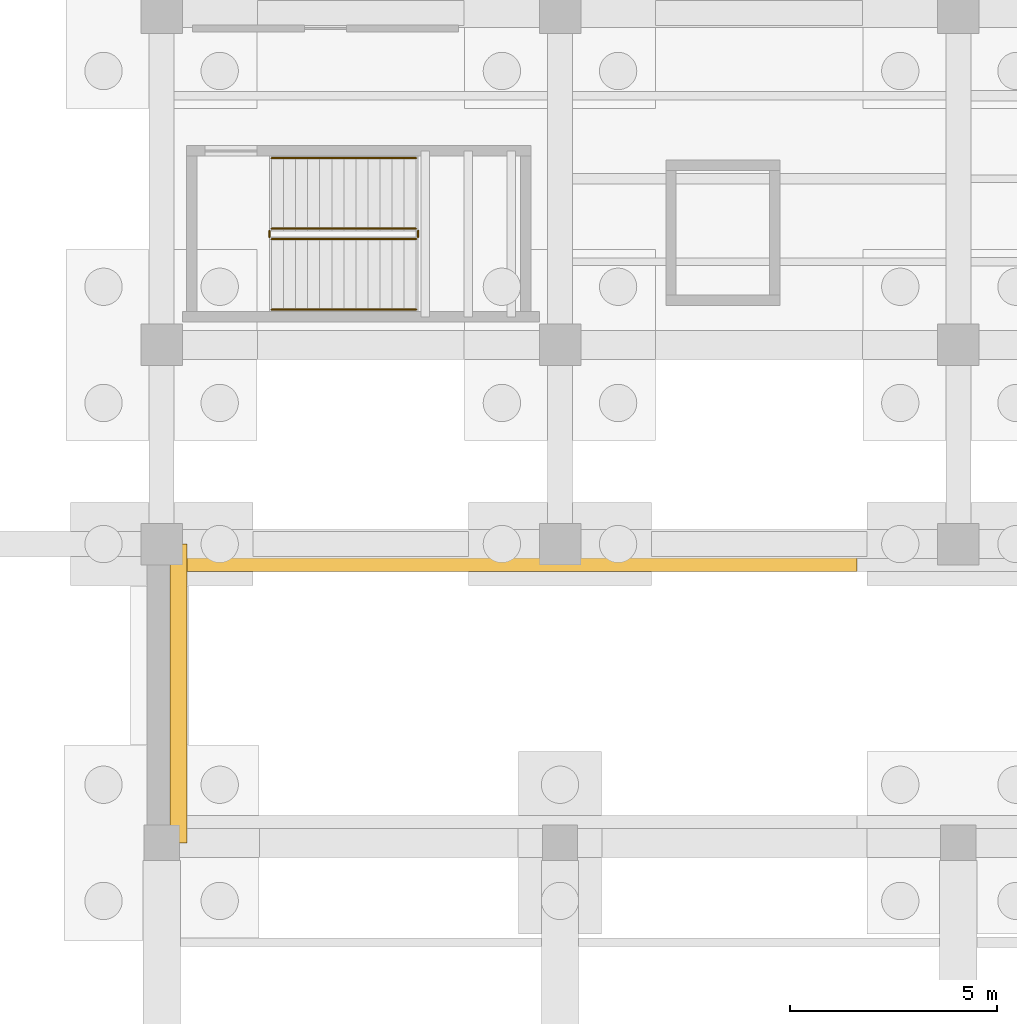
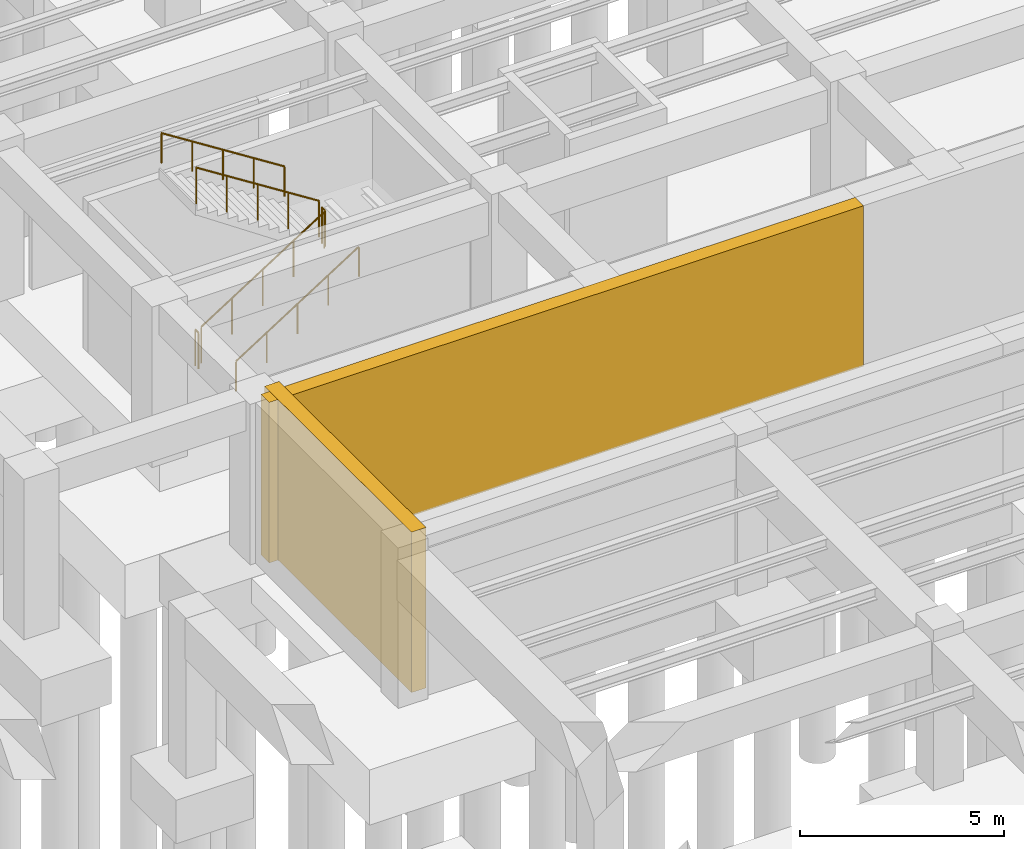
# One storey, part 50 of 56: 6 railings, 2 coverings.
"""IFC4 building model written with IfcOpenShell, lengths in metres."""

from ifc_helpers import new_model, si_unit, direction, frame, origin, origin_2d, place, context, subcontext, project, spatial, polyline, circle, outline, extrude, material, layer, layer_set, type_object, element, save


model = new_model("IFC4")

# Units and contexts
model_context = context("Model", 3, precision=1e-05, world=origin(), true_north=direction((0.0, 1.0)))
body_context = subcontext(model_context, "Body", "Model", "MODEL_VIEW")
ifc_project = project(units=[si_unit("LENGTHUNIT", "METRE"), si_unit("AREAUNIT", "SQUARE_METRE"), si_unit("VOLUMEUNIT", "CUBIC_METRE"), si_unit("PLANEANGLEUNIT", "RADIAN"), si_unit("MASSUNIT", "GRAM", prefix="KILO")], contexts=[model_context])

# Site, building, storey
site_placement = place(None, origin())
site = spatial("IfcSite", under=ifc_project, at=site_placement, CompositionType="ELEMENT")
building_placement = place(site_placement, origin())
building = spatial("IfcBuilding", under=site, at=building_placement, Name="Mavantir Sound Aquarium", CompositionType="ELEMENT")
storey_placement = place(building_placement, frame((0.0, 0.0, -9.60009765625)))
storey = spatial("IfcBuildingStorey", under=building, at=storey_placement, Name="B2", CompositionType="ELEMENT", Elevation=-9.60009765625)

# Coverings
ifc_material_1 = material(Name="Honed Coral-Limestone & Glazed Terracotta Rainscreen Cladding", Category="masonry")
ifc_layer = layer(ifc_material_1, 0.06005859375, Name="Honed Coral-Limestone & Glazed Terracotta Rainscreen Cladding")
ifc_layer_set = layer_set([ifc_layer], Name="Honed Coral-Limestone & Glazed Terracotta Rainscreen Cladding")
covering_type = type_object("IfcCoveringType", Name="COV-CLAD-TC", PredefinedType="CLADDING", material=ifc_layer_set)
covering_1_placement = place(storey_placement, origin())
element("IfcCovering", 1, at=covering_1_placement, inside=storey, type_object=covering_type, Name="B2 rusticated coral-stone plinth cladding 7", PredefinedType="CLADDING", context=body_context, shape_type="SweptSolid", body=[
    extrude(outline(polyline([(108.199951171875, 28.800048828125), (108.199951171875, 36.0), (108.610107421875, 36.0), (108.610107421875, 28.800048828125), (108.199951171875, 28.800048828125)])), origin(), (0.0, 0.0, 1.0), 4.800048828125),
])
covering_2_placement = place(storey_placement, origin())
element("IfcCovering", 2, at=covering_2_placement, inside=storey, type_object=covering_type, Name="B2 rusticated coral-stone plinth cladding 8", PredefinedType="CLADDING", context=body_context, shape_type="SweptSolid", body=[
    extrude(outline(polyline([(107.949951171875, 35.75), (124.762451171875, 35.75), (124.762451171875, 35.340087890625), (107.949951171875, 35.340087890625), (107.949951171875, 35.75)])), origin(), (0.0, 0.0, 1.0), 4.800048828125),
])

# Railings
ifc_material_2 = material(Name="Stainless Steel 316 and Laminated Glass Guardrail", Category="steel")
railing_type_1 = type_object("IfcRailingType", Name="RL-GUARD-110", PredefinedType="GUARDRAIL", material=ifc_material_2)
railing_1_placement = place(storey_placement, frame((110.64990234375, 43.35009765625, 0.184814453125)))
element("IfcRailing", 3, at=railing_1_placement, inside=storey, type_object=railing_type_1, Name="B2 ST4 stair guard 1", PredefinedType="GUARDRAIL", context=body_context, shape_type="SweptSolid", body=[
    extrude(circle(Radius=0.02392578125, at=origin_2d()), frame((0.0, 0.0, 1.076171875), z_axis=(0.843573748531, 0.0, 0.537013343214), x_axis=(0.0, 1.0, 0.0)), (0.0, 0.0, 1.0), 4.125244140625),
    extrude(circle(Radius=0.02099609375, at=origin_2d()), origin(), (0.0, 0.0, 1.0), 1.052001953125),
    extrude(circle(Radius=0.02099609375, at=origin_2d()), frame((0.8701171875, 0.0, 0.5537109375)), (0.0, 0.0, 1.0), 1.052001953125),
    extrude(circle(Radius=0.02099609375, at=origin_2d()), frame((1.739990234375, 0.0, 1.107666015625)), (0.0, 0.0, 1.0), 1.052001953125),
    extrude(circle(Radius=0.02099609375, at=origin_2d()), frame((2.60986328125, 0.0, 1.66162109375)), (0.0, 0.0, 1.0), 1.052001953125),
    extrude(circle(Radius=0.02099609375, at=origin_2d()), frame((3.47998046875, 0.0, 2.21533203125)), (0.0, 0.0, 1.0), 1.052001953125),
])
railing_2_placement = place(storey_placement, frame((114.179931640625, 43.39990234375, 2.400146484375)))
element("IfcRailing", 4, at=railing_2_placement, inside=storey, type_object=railing_type_1, Name="B2 ST4 stair guard 2", PredefinedType="GUARDRAIL", context=body_context, shape_type="SweptSolid", body=[
    extrude(circle(Radius=0.02392578125, at=origin_2d()), frame((0.0, 0.0, 1.076171875), z_axis=(0.0, 1.0, 0.0), x_axis=(-1.0, 0.0, 0.0)), (0.0, 0.0, 1.0), 0.150146484375),
    extrude(circle(Radius=0.02099609375, at=origin_2d()), origin(), (0.0, 0.0, 1.0), 1.052001953125),
    extrude(circle(Radius=0.02099609375, at=origin_2d()), frame((0.0, 0.150146484375, 0.0)), (0.0, 0.0, 1.0), 1.052001953125),
])
railing_3_placement = place(storey_placement, frame((114.1298828125, 43.60009765625, 2.584716796875)))
element("IfcRailing", 5, at=railing_3_placement, inside=storey, type_object=railing_type_1, Name="B2 ST4 stair guard 3", PredefinedType="GUARDRAIL", context=body_context, shape_type="SweptSolid", body=[
    extrude(circle(Radius=0.02392578125, at=origin_2d()), frame((0.0, 0.0, 1.076171875), z_axis=(-0.843573748531, 0.0, 0.537013343214), x_axis=(0.0, -1.0, 0.0)), (0.0, 0.0, 1.0), 4.125244140625),
    extrude(circle(Radius=0.02099609375, at=origin_2d()), origin(), (0.0, 0.0, 1.0), 1.052001953125),
    extrude(circle(Radius=0.02099609375, at=origin_2d()), frame((-0.8701171875, 0.0, 0.5537109375)), (0.0, 0.0, 1.0), 1.052001953125),
    extrude(circle(Radius=0.02099609375, at=origin_2d()), frame((-1.739990234375, 0.0, 1.107666015625)), (0.0, 0.0, 1.0), 1.052001953125),
    extrude(circle(Radius=0.02099609375, at=origin_2d()), frame((-2.60986328125, 0.0, 1.66162109375)), (0.0, 0.0, 1.0), 1.052001953125),
    extrude(circle(Radius=0.02099609375, at=origin_2d()), frame((-3.47998046875, 0.0, 2.21533203125)), (0.0, 0.0, 1.0), 1.052001953125),
])
railing_4_placement = place(storey_placement, frame((110.60009765625, 43.39990234375, 0.0)))
element("IfcRailing", 6, at=railing_4_placement, inside=storey, type_object=railing_type_1, Name="B2 ST4 stair guard 4", PredefinedType="GUARDRAIL", context=body_context, shape_type="SweptSolid", body=[
    extrude(circle(Radius=0.02392578125, at=origin_2d()), frame((0.0, 0.0, 1.076171875), z_axis=(0.0, 1.0, 0.0), x_axis=(-1.0, 0.0, 0.0)), (0.0, 0.0, 1.0), 0.150146484375),
    extrude(circle(Radius=0.02099609375, at=origin_2d()), origin(), (0.0, 0.0, 1.0), 1.052001953125),
    extrude(circle(Radius=0.02099609375, at=origin_2d()), frame((0.0, 0.150146484375, 0.0)), (0.0, 0.0, 1.0), 1.052001953125),
])
ifc_material_3 = material(Name="Brushed Stainless Steel 316 Handrail", Category="steel")
railing_type_2 = type_object("IfcRailingType", Name="RL-HR-90", PredefinedType="HANDRAIL", material=ifc_material_3)
railing_5_placement = place(storey_placement, frame((110.64990234375, 41.64990234375, 0.36962890625)))
element("IfcRailing", 7, at=railing_5_placement, inside=storey, type_object=railing_type_2, Name="B2 ST4 stair handrail 1", PredefinedType="HANDRAIL", context=body_context, shape_type="SweptSolid", body=[
    extrude(circle(Radius=0.02392578125, at=origin_2d()), frame((0.0, 0.0, 0.89111328125), z_axis=(0.843546938479, 0.0, 0.53705545578), x_axis=(0.0, 1.0, 0.0)), (0.0, 0.0, 1.0), 4.12548828125),
    extrude(circle(Radius=0.02099609375, at=origin_2d()), origin(), (0.0, 0.0, 1.0), 0.866943359375),
    extrude(circle(Radius=0.02099609375, at=origin_2d()), frame((0.8701171875, 0.0, 0.553955078125)), (0.0, 0.0, 1.0), 0.866943359375),
    extrude(circle(Radius=0.02099609375, at=origin_2d()), frame((1.739990234375, 0.0, 1.10791015625)), (0.0, 0.0, 1.0), 0.866943359375),
    extrude(circle(Radius=0.02099609375, at=origin_2d()), frame((2.60986328125, 0.0, 1.66162109375)), (0.0, 0.0, 1.0), 0.866943359375),
    extrude(circle(Radius=0.02099609375, at=origin_2d()), frame((3.47998046875, 0.0, 2.215576171875)), (0.0, 0.0, 1.0), 0.866943359375),
])
railing_6_placement = place(storey_placement, frame((114.1298828125, 45.300048828125, 2.769775390625)))
element("IfcRailing", 8, at=railing_6_placement, inside=storey, type_object=railing_type_2, Name="B2 ST4 stair handrail 2", PredefinedType="HANDRAIL", context=body_context, shape_type="SweptSolid", body=[
    extrude(circle(Radius=0.02392578125, at=origin_2d()), frame((0.0, 0.0, 0.89111328125), z_axis=(-0.843573748531, 0.0, 0.537013343214), x_axis=(0.0, -1.0, 0.0)), (0.0, 0.0, 1.0), 4.125244140625),
    extrude(circle(Radius=0.02099609375, at=origin_2d()), origin(), (0.0, 0.0, 1.0), 0.866943359375),
    extrude(circle(Radius=0.02099609375, at=origin_2d()), frame((-0.8701171875, 0.0, 0.5537109375)), (0.0, 0.0, 1.0), 0.866943359375),
    extrude(circle(Radius=0.02099609375, at=origin_2d()), frame((-1.739990234375, 0.0, 1.107666015625)), (0.0, 0.0, 1.0), 0.866943359375),
    extrude(circle(Radius=0.02099609375, at=origin_2d()), frame((-2.60986328125, 0.0, 1.66162109375)), (0.0, 0.0, 1.0), 0.866943359375),
    extrude(circle(Radius=0.02099609375, at=origin_2d()), frame((-3.47998046875, 0.0, 2.21533203125)), (0.0, 0.0, 1.0), 0.866943359375),
])

save(model, "model.ifc")
